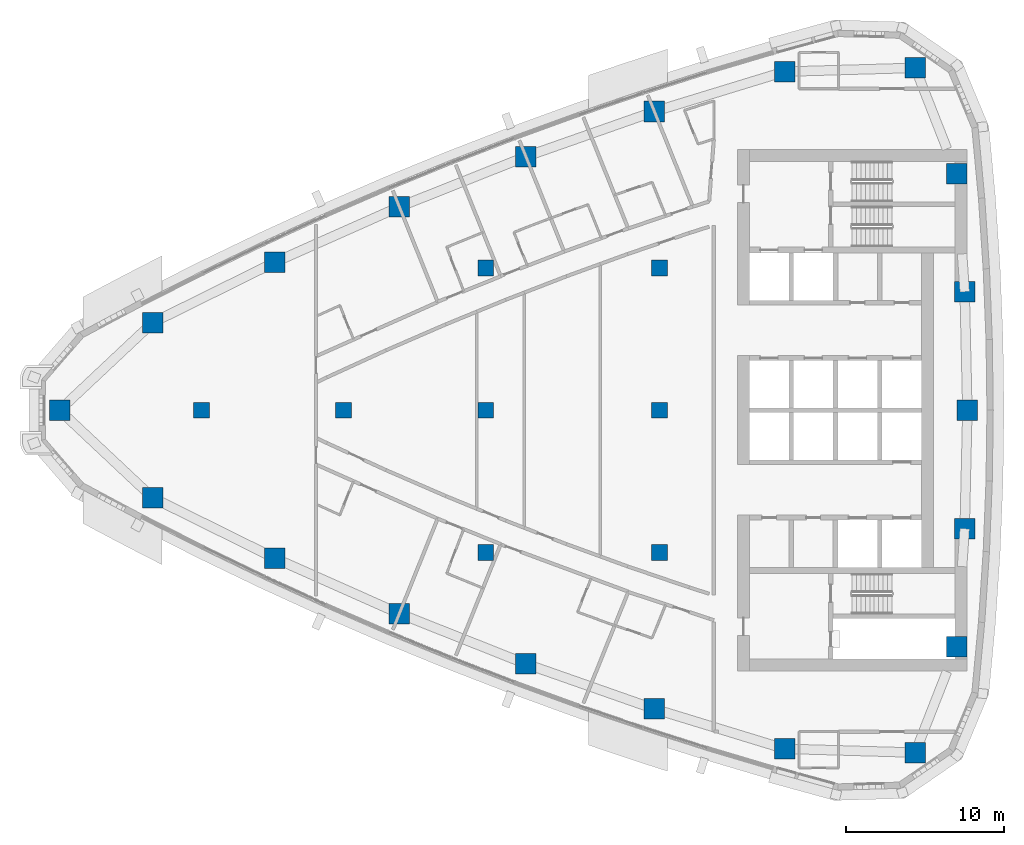
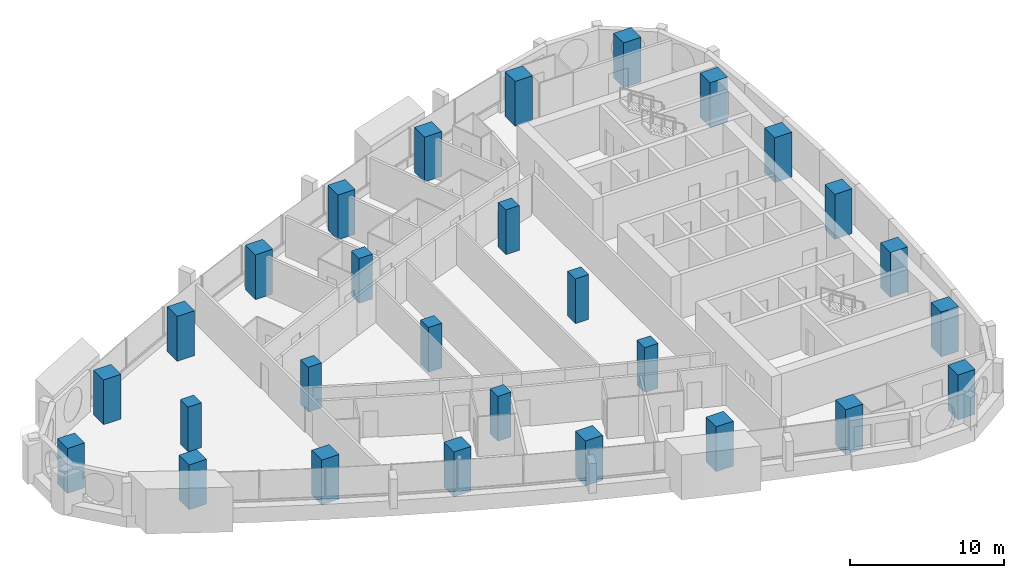
# One storey, part 1 of 17: 28 columns.
"""IFC4 building model written with IfcOpenShell, lengths in metres."""

from ifc_helpers import new_model, si_unit, direction, frame, origin, origin_2d, place, context, subcontext, project, spatial, rectangle, extrude, material, material_profile, profile_set, type_object, element, save


model = new_model("IFC4")

# Units and contexts
model_context = context("Model", 3, precision=1e-05, world=origin(), true_north=direction((0.0, 1.0)))
body_context = subcontext(model_context, "Body", "Model", "MODEL_VIEW")
ifc_project = project(units=[si_unit("LENGTHUNIT", "METRE"), si_unit("AREAUNIT", "SQUARE_METRE"), si_unit("VOLUMEUNIT", "CUBIC_METRE"), si_unit("PLANEANGLEUNIT", "RADIAN"), si_unit("MASSUNIT", "GRAM", prefix="KILO")], contexts=[model_context])

# Site, building, storey
site_placement = place(None, origin())
site = spatial("IfcSite", under=ifc_project, at=site_placement, CompositionType="ELEMENT")
building_placement = place(site_placement, origin())
building = spatial("IfcBuilding", under=site, at=building_placement, Name="Ostrand Prow Hotel Tower", CompositionType="ELEMENT")
storey_placement = place(building_placement, frame((0.0, 0.0, 207.449951171875)))
storey = spatial("IfcBuildingStorey", under=building, at=storey_placement, Name="L52", CompositionType="ELEMENT", Elevation=207.449951171875)

# Columns
ifc_material_1 = material(Name="Concrete C60/75", Category="concrete")
ifc_material_profile_1 = material_profile(ifc_material_1, rectangle(XDim=1.0, YDim=1.0, at=origin_2d()), Name="RC 1000x1000")
ifc_profile_set_1 = profile_set([ifc_material_profile_1], Name="Concrete C60/75")
column_type_1 = type_object("IfcColumnType", Name="Interior column 1000x1000 C60/75", PredefinedType="COLUMN", material=ifc_profile_set_1)
for number, where, z_axis, x_axis, name in (
    (1, (16.0, 0.0, 0.0), (0.0, 0.0, 1.0), (1.0, 0.0, 0.0), "Interior column 16C0"),
    (2, (25.0, 0.0, 0.0), (0.0, 0.0, 1.0), (1.0, 0.0, 0.0), "Interior column 25C0"),
    (3, (34.0, -9.0, 0.0), (0.0, 0.0, 1.0), (1.0, 0.0, 0.0), "Interior column 34S9"),
    (4, (34.0, 0.0, 0.0), (0.0, 0.0, 1.0), (1.0, 0.0, 0.0), "Interior column 34C0"),
    (5, (34.0, 9.0, 0.0), (0.0, 0.0, 1.0), (1.0, 0.0, 0.0), "Interior column 34N9"),
    (6, (45.0, -9.0, 0.0), (0.0, 0.0, 1.0), (1.0, 0.0, 0.0), "Interior column 45S9"),
    (7, (45.0, 0.0, 0.0), (0.0, 0.0, 1.0), (1.0, 0.0, 0.0), "Interior column 45C0"),
    (8, (45.0, 9.0, 0.0), (0.0, 0.0, 1.0), (1.0, 0.0, 0.0), "Interior column 45N9"),
):
    element("IfcColumn", number, at=place(storey_placement, frame(where, z_axis=z_axis, x_axis=x_axis)), inside=storey, type_object=column_type_1, Name=name, PredefinedType="COLUMN", context=body_context, shape_type="SweptSolid", body=[
        extrude(rectangle(XDim=1.0, YDim=1.0, at=origin_2d()), origin(), (0.0, 0.0, 1.0), 3.550048828125),
    ])
ifc_material_2 = material(Name="Concrete C60/75", Category="concrete")
ifc_material_profile_2 = material_profile(ifc_material_2, rectangle(XDim=1.300048828125, YDim=1.300048828125, at=origin_2d()), Name="RC 1300x1300")
ifc_profile_set_2 = profile_set([ifc_material_profile_2], Name="Concrete C60/75")
column_type_2 = type_object("IfcColumnType", Name="Stone-faced mega column 1300x1300 C60/75", PredefinedType="COLUMN", material=ifc_profile_set_2)
for number, where, z_axis, x_axis, name in (
    (9, (7.01708984375, 0.0, 0.0), (0.0, 0.0, 1.0), (1.0, 0.0, 0.0), "Mega column P"),
    (10, (12.9287109375, -5.551513671875, 0.0), (0.0, 0.0, 1.0), (1.0, 0.0, 0.0), "Mega column S1"),
    (11, (20.656982421875, -9.373291015625, 0.0), (0.0, 0.0, 1.0), (1.0, 0.0, 0.0), "Mega column S2"),
    (12, (28.5341796875, -12.878173828125, 0.0), (0.0, 0.0, 1.0), (1.0, 0.0, 0.0), "Mega column S3"),
    (13, (36.547119140625, -16.060791015625, 0.0), (0.0, 0.0, 1.0), (1.0, 0.0, 0.0), "Mega column S4"),
    (14, (44.6826171875, -18.91552734375, 0.0), (0.0, 0.0, 1.0), (1.0, 0.0, 0.0), "Mega column S5"),
    (15, (52.92724609375, -21.43798828125, 0.0), (0.0, 0.0, 1.0), (1.0, 0.0, 0.0), "Mega column S6"),
    (16, (61.198486328125, -21.678955078125, 0.0), (0.0, 0.0, 1.0), (1.0, 0.0, 0.0), "Mega column SE"),
    (17, (63.822021484375, -14.983154296875, 0.0), (0.0, 0.0, 1.0), (1.0, 0.0, 0.0), "Mega column B1"),
    (18, (64.330322265625, -7.499267578125, 0.0), (0.0, 0.0, 1.0), (1.0, 0.0, 0.0), "Mega column B2"),
    (19, (64.5, 0.0, 0.0), (0.0, 0.0, 1.0), (1.0, 0.0, 0.0), "Mega column B3"),
    (20, (64.330322265625, 7.499267578125, 0.0), (0.0, 0.0, 1.0), (1.0, 0.0, 0.0), "Mega column B4"),
    (21, (63.822021484375, 14.983154296875, 0.0), (0.0, 0.0, 1.0), (1.0, 0.0, 0.0), "Mega column B5"),
    (22, (61.198486328125, 21.678955078125, 0.0), (0.0, 0.0, 1.0), (1.0, 0.0, 0.0), "Mega column NE"),
    (23, (52.92724609375, 21.43798828125, 0.0), (0.0, 0.0, 1.0), (1.0, 0.0, 0.0), "Mega column N1"),
    (24, (44.6826171875, 18.91552734375, 0.0), (0.0, 0.0, 1.0), (1.0, 0.0, 0.0), "Mega column N2"),
    (25, (36.547119140625, 16.060791015625, 0.0), (0.0, 0.0, 1.0), (1.0, 0.0, 0.0), "Mega column N3"),
    (26, (28.5341796875, 12.878173828125, 0.0), (0.0, 0.0, 1.0), (1.0, 0.0, 0.0), "Mega column N4"),
    (27, (20.656982421875, 9.373291015625, 0.0), (0.0, 0.0, 1.0), (1.0, 0.0, 0.0), "Mega column N5"),
    (28, (12.9287109375, 5.551513671875, 0.0), (0.0, 0.0, 1.0), (1.0, 0.0, 0.0), "Mega column N6"),
):
    element("IfcColumn", number, at=place(storey_placement, frame(where, z_axis=z_axis, x_axis=x_axis)), inside=storey, type_object=column_type_2, Name=name, PredefinedType="COLUMN", context=body_context, shape_type="SweptSolid", body=[
        extrude(rectangle(XDim=1.300048828125, YDim=1.300048828125, at=origin_2d()), origin(), (0.0, 0.0, 1.0), 3.550048828125),
    ])

save(model, "model.ifc")
